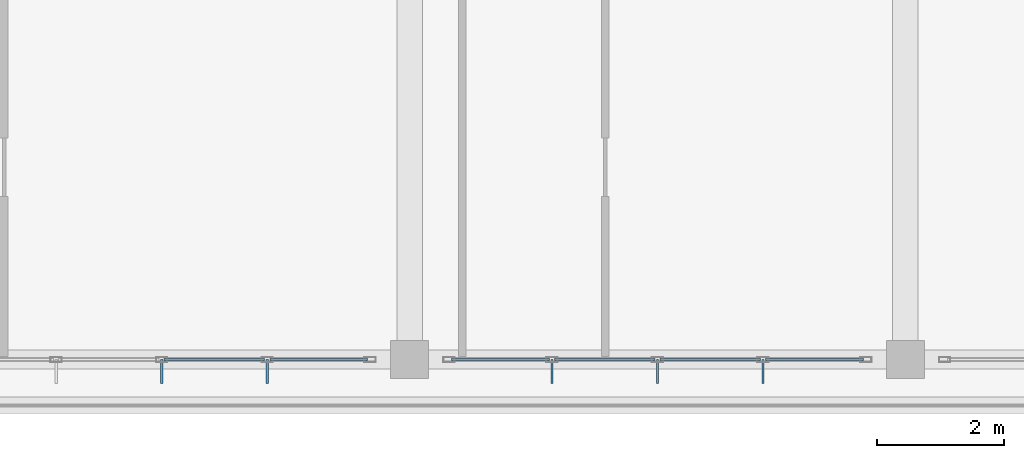
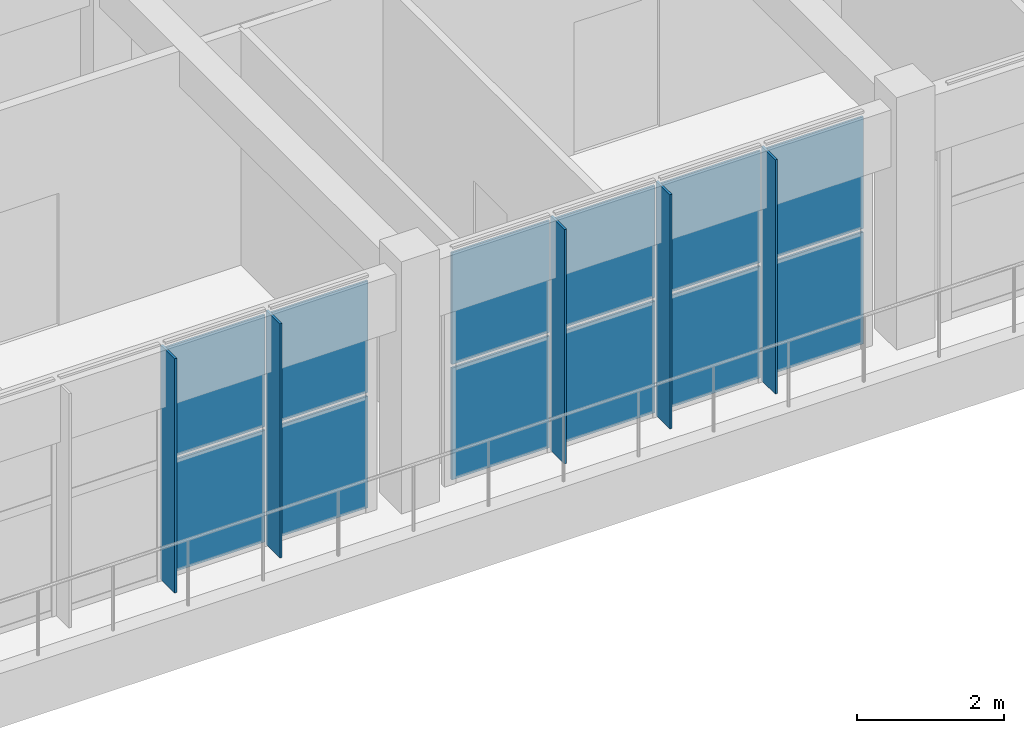
# One storey, part 34 of 50: 17 plates, 2 elements without a shape of their own.
"""IFC4 building model written with IfcOpenShell, lengths in metres."""

from ifc_helpers import new_model, si_unit, direction, frame, origin, origin_2d, place, context, subcontext, project, spatial, polyline, rectangle, outline, extrude, material, layer, layer_set, type_object, element, aggregate, save


model = new_model("IFC4")

# Units and contexts
model_context = context("Model", 3, precision=1e-05, world=origin(), true_north=direction((0.0, 1.0)))
body_context = subcontext(model_context, "Body", "Model", "MODEL_VIEW")
ifc_project = project(units=[si_unit("LENGTHUNIT", "METRE"), si_unit("AREAUNIT", "SQUARE_METRE"), si_unit("VOLUMEUNIT", "CUBIC_METRE"), si_unit("PLANEANGLEUNIT", "RADIAN"), si_unit("MASSUNIT", "GRAM", prefix="KILO")], contexts=[model_context])

# Site, building, storey
site_placement = place(None, origin())
site = spatial("IfcSite", under=ifc_project, at=site_placement, CompositionType="ELEMENT")
building_placement = place(site_placement, origin())
building = spatial("IfcBuilding", under=site, at=building_placement, Name="Zizhar Promenade General Hospital", CompositionType="ELEMENT")
storey_placement = place(building_placement, frame((0.0, 0.0, 30.60009765625)))
storey = spatial("IfcBuildingStorey", under=building, at=storey_placement, Name="L07", CompositionType="ELEMENT", Elevation=30.60009765625)

# Curtain wall, plates
ifc_material_1 = material(Name="Anodised aluminium 6063-T6 and low-E glass", Category="aluminium")
ifc_layer_1 = layer(ifc_material_1, 0.159912109375)
ifc_layer_set_1 = layer_set([ifc_layer_1], Name="Anodised aluminium 6063-T6 and low-E glass")
curtain_wall_type = type_object("IfcCurtainWallType", Name="CW-WARD-RIB", PredefinedType="NOTDEFINED", material=ifc_layer_set_1)
curtain_wall_1_placement = place(storey_placement, origin())
curtain_wall_1 = element("IfcCurtainWall", 1, at=curtain_wall_1_placement, inside=storey, type_object=curtain_wall_type, Name="Ward Ribbon Curtain Wall L07-17-3", PredefinedType="NOTDEFINED")
ifc_material_2 = material(Name="Low-E solar-control glass", Category="glass")
ifc_layer_2 = layer(ifc_material_2, 0.031982421875)
ifc_layer_set_2 = layer_set([ifc_layer_2], Name="Low-E solar-control glass")
plate_type_1 = type_object("IfcPlateType", Name="CWP-GLZ-32", PredefinedType="CURTAIN_PANEL", material=ifc_layer_set_2)
plate_1_placement = place(storey_placement, frame((84.3701171875, 0.0, 0.06005859375), z_axis=(0.0, 0.0, 1.0), x_axis=(-1.0, 0.0, 0.0)))
plate_1 = element("IfcPlate", 2, at=plate_1_placement, type_object=plate_type_1, Name="CW-13 panel 1.1", PredefinedType="CURTAIN_PANEL", context=body_context, shape_type="SweptSolid", body=[
    extrude(rectangle(XDim=1.5400390625, YDim=0.031982421875, at=origin_2d()), origin(), (0.0, 0.0, 1.0), 1.860107421875),
])
plate_2_placement = place(storey_placement, frame((84.3701171875, 0.0, 1.97998046875), z_axis=(0.0, 0.0, 1.0), x_axis=(-1.0, 0.0, 0.0)))
plate_2 = element("IfcPlate", 3, at=plate_2_placement, type_object=plate_type_1, Name="CW-13 panel 1.2", PredefinedType="CURTAIN_PANEL", context=body_context, shape_type="SweptSolid", body=[
    extrude(rectangle(XDim=1.5400390625, YDim=0.031982421875, at=origin_2d()), origin(), (0.0, 0.0, 1.0), 1.860107421875),
])
plate_3_placement = place(storey_placement, frame((82.72998046875, 0.0, 0.06005859375), z_axis=(0.0, 0.0, 1.0), x_axis=(-1.0, 0.0, 0.0)))
plate_3 = element("IfcPlate", 4, at=plate_3_placement, type_object=plate_type_1, Name="CW-13 panel 2.1", PredefinedType="CURTAIN_PANEL", context=body_context, shape_type="SweptSolid", body=[
    extrude(rectangle(XDim=1.580078125, YDim=0.031982421875, at=origin_2d()), origin(), (0.0, 0.0, 1.0), 1.860107421875),
])
plate_4_placement = place(storey_placement, frame((82.72998046875, 0.0, 1.97998046875), z_axis=(0.0, 0.0, 1.0), x_axis=(-1.0, 0.0, 0.0)))
plate_4 = element("IfcPlate", 5, at=plate_4_placement, type_object=plate_type_1, Name="CW-13 panel 2.2", PredefinedType="CURTAIN_PANEL", context=body_context, shape_type="SweptSolid", body=[
    extrude(rectangle(XDim=1.580078125, YDim=0.031982421875, at=origin_2d()), origin(), (0.0, 0.0, 1.0), 1.860107421875),
])
plate_5_placement = place(storey_placement, frame((81.070068359375, 0.0, 0.06005859375), z_axis=(0.0, 0.0, 1.0), x_axis=(-1.0, 0.0, 0.0)))
plate_5 = element("IfcPlate", 6, at=plate_5_placement, type_object=plate_type_1, Name="CW-13 panel 3.1", PredefinedType="CURTAIN_PANEL", context=body_context, shape_type="SweptSolid", body=[
    extrude(rectangle(XDim=1.580078125, YDim=0.031982421875, at=origin_2d()), origin(), (0.0, 0.0, 1.0), 1.860107421875),
])
plate_6_placement = place(storey_placement, frame((81.070068359375, 0.0, 1.97998046875), z_axis=(0.0, 0.0, 1.0), x_axis=(-1.0, 0.0, 0.0)))
plate_6 = element("IfcPlate", 7, at=plate_6_placement, type_object=plate_type_1, Name="CW-13 panel 3.2", PredefinedType="CURTAIN_PANEL", context=body_context, shape_type="SweptSolid", body=[
    extrude(rectangle(XDim=1.580078125, YDim=0.031982421875, at=origin_2d()), origin(), (0.0, 0.0, 1.0), 1.860107421875),
])
plate_7_placement = place(storey_placement, frame((79.429931640625, 0.0, 0.06005859375), z_axis=(0.0, 0.0, 1.0), x_axis=(-1.0, 0.0, 0.0)))
plate_7 = element("IfcPlate", 8, at=plate_7_placement, type_object=plate_type_1, Name="CW-13 panel 4.1", PredefinedType="CURTAIN_PANEL", context=body_context, shape_type="SweptSolid", body=[
    extrude(rectangle(XDim=1.5400390625, YDim=0.031982421875, at=origin_2d()), origin(), (0.0, 0.0, 1.0), 1.860107421875),
])
plate_8_placement = place(storey_placement, frame((79.429931640625, 0.0, 1.97998046875), z_axis=(0.0, 0.0, 1.0), x_axis=(-1.0, 0.0, 0.0)))
plate_8 = element("IfcPlate", 9, at=plate_8_placement, type_object=plate_type_1, Name="CW-13 panel 4.2", PredefinedType="CURTAIN_PANEL", context=body_context, shape_type="SweptSolid", body=[
    extrude(rectangle(XDim=1.5400390625, YDim=0.031982421875, at=origin_2d()), origin(), (0.0, 0.0, 1.0), 1.860107421875),
])
aggregate(curtain_wall_1, [plate_1, plate_2, plate_3, plate_4, plate_5, plate_6, plate_7, plate_8])

curtain_wall_2_placement = place(storey_placement, origin())
curtain_wall_2 = element("IfcCurtainWall", 10, at=curtain_wall_2_placement, inside=storey, type_object=curtain_wall_type, Name="Ward Ribbon Curtain Wall L07-17-4", PredefinedType="NOTDEFINED")
plate_9_placement = place(storey_placement, frame((76.570068359375, 0.0, 0.06005859375), z_axis=(0.0, 0.0, 1.0), x_axis=(-1.0, 0.0, 0.0)))
plate_9 = element("IfcPlate", 11, at=plate_9_placement, type_object=plate_type_1, Name="CW-13 panel 1.1", PredefinedType="CURTAIN_PANEL", context=body_context, shape_type="SweptSolid", body=[
    extrude(rectangle(XDim=1.5400390625, YDim=0.031982421875, at=origin_2d()), origin(), (0.0, 0.0, 1.0), 1.860107421875),
])
plate_10_placement = place(storey_placement, frame((76.570068359375, 0.0, 1.97998046875), z_axis=(0.0, 0.0, 1.0), x_axis=(-1.0, 0.0, 0.0)))
plate_10 = element("IfcPlate", 12, at=plate_10_placement, type_object=plate_type_1, Name="CW-13 panel 1.2", PredefinedType="CURTAIN_PANEL", context=body_context, shape_type="SweptSolid", body=[
    extrude(rectangle(XDim=1.5400390625, YDim=0.031982421875, at=origin_2d()), origin(), (0.0, 0.0, 1.0), 1.860107421875),
])
plate_11_placement = place(storey_placement, frame((74.929931640625, 0.0, 0.06005859375), z_axis=(0.0, 0.0, 1.0), x_axis=(-1.0, 0.0, 0.0)))
plate_11 = element("IfcPlate", 13, at=plate_11_placement, type_object=plate_type_1, Name="CW-13 panel 2.1", PredefinedType="CURTAIN_PANEL", context=body_context, shape_type="SweptSolid", body=[
    extrude(rectangle(XDim=1.580078125, YDim=0.031982421875, at=origin_2d()), origin(), (0.0, 0.0, 1.0), 1.860107421875),
])
plate_12_placement = place(storey_placement, frame((74.929931640625, 0.0, 1.97998046875), z_axis=(0.0, 0.0, 1.0), x_axis=(-1.0, 0.0, 0.0)))
plate_12 = element("IfcPlate", 14, at=plate_12_placement, type_object=plate_type_1, Name="CW-13 panel 2.2", PredefinedType="CURTAIN_PANEL", context=body_context, shape_type="SweptSolid", body=[
    extrude(rectangle(XDim=1.580078125, YDim=0.031982421875, at=origin_2d()), origin(), (0.0, 0.0, 1.0), 1.860107421875),
])
aggregate(curtain_wall_2, [plate_9, plate_10, plate_11, plate_12])

# Plates
ifc_material_3 = material(Name="Anodised aluminium 6063-T6", Category="aluminium")
ifc_layer_3 = layer(ifc_material_3, 0.035888671875)
ifc_layer_set_3 = layer_set([ifc_layer_3], Name="Anodised aluminium 6063-T6")
plate_type_2 = type_object("IfcPlateType", Name="FIN-ALU-380", PredefinedType="USERDEFINED", material=ifc_layer_set_3)
plate_13_placement = place(storey_placement, origin())
element("IfcPlate", 15, at=plate_13_placement, inside=storey, type_object=plate_type_2, Name="Ward Ribbon Curtain Wall L07-17-3 Solar Fin 1", ObjectType="SOLAR_SHADE", PredefinedType="USERDEFINED", context=body_context, shape_type="SweptSolid", body=[
    extrude(outline(polyline([(83.577880859375, 0.0), (83.5419921875, 0.0), (83.5419921875, -0.3798828125), (83.577880859375, -0.3798828125), (83.577880859375, 0.0)])), origin(), (0.0, 0.0, 1.0), 3.89990234375),
])
plate_14_placement = place(storey_placement, origin())
element("IfcPlate", 16, at=plate_14_placement, inside=storey, type_object=plate_type_2, Name="Ward Ribbon Curtain Wall L07-17-3 Solar Fin 2", ObjectType="SOLAR_SHADE", PredefinedType="USERDEFINED", context=body_context, shape_type="SweptSolid", body=[
    extrude(outline(polyline([(81.91796875, 0.0), (81.882080078125, 0.0), (81.882080078125, -0.3798828125), (81.91796875, -0.3798828125), (81.91796875, 0.0)])), origin(), (0.0, 0.0, 1.0), 3.89990234375),
])
plate_15_placement = place(storey_placement, origin())
element("IfcPlate", 17, at=plate_15_placement, inside=storey, type_object=plate_type_2, Name="Ward Ribbon Curtain Wall L07-17-3 Solar Fin 3", ObjectType="SOLAR_SHADE", PredefinedType="USERDEFINED", context=body_context, shape_type="SweptSolid", body=[
    extrude(outline(polyline([(80.258056640625, 0.0), (80.221923828125, 0.0), (80.221923828125, -0.3798828125), (80.258056640625, -0.3798828125), (80.258056640625, 0.0)])), origin(), (0.0, 0.0, 1.0), 3.89990234375),
])
plate_16_placement = place(storey_placement, origin())
element("IfcPlate", 18, at=plate_16_placement, inside=storey, type_object=plate_type_2, Name="Ward Ribbon Curtain Wall L07-17-4 Solar Fin 1", ObjectType="SOLAR_SHADE", PredefinedType="USERDEFINED", context=body_context, shape_type="SweptSolid", body=[
    extrude(outline(polyline([(75.778076171875, 0.0), (75.741943359375, 0.0), (75.741943359375, -0.3798828125), (75.778076171875, -0.3798828125), (75.778076171875, 0.0)])), origin(), (0.0, 0.0, 1.0), 3.89990234375),
])
plate_17_placement = place(storey_placement, origin())
element("IfcPlate", 19, at=plate_17_placement, inside=storey, type_object=plate_type_2, Name="Ward Ribbon Curtain Wall L07-17-4 Solar Fin 2", ObjectType="SOLAR_SHADE", PredefinedType="USERDEFINED", context=body_context, shape_type="SweptSolid", body=[
    extrude(outline(polyline([(74.117919921875, 0.0), (74.08203125, 0.0), (74.08203125, -0.3798828125), (74.117919921875, -0.3798828125), (74.117919921875, 0.0)])), origin(), (0.0, 0.0, 1.0), 3.89990234375),
])

save(model, "model.ifc")
